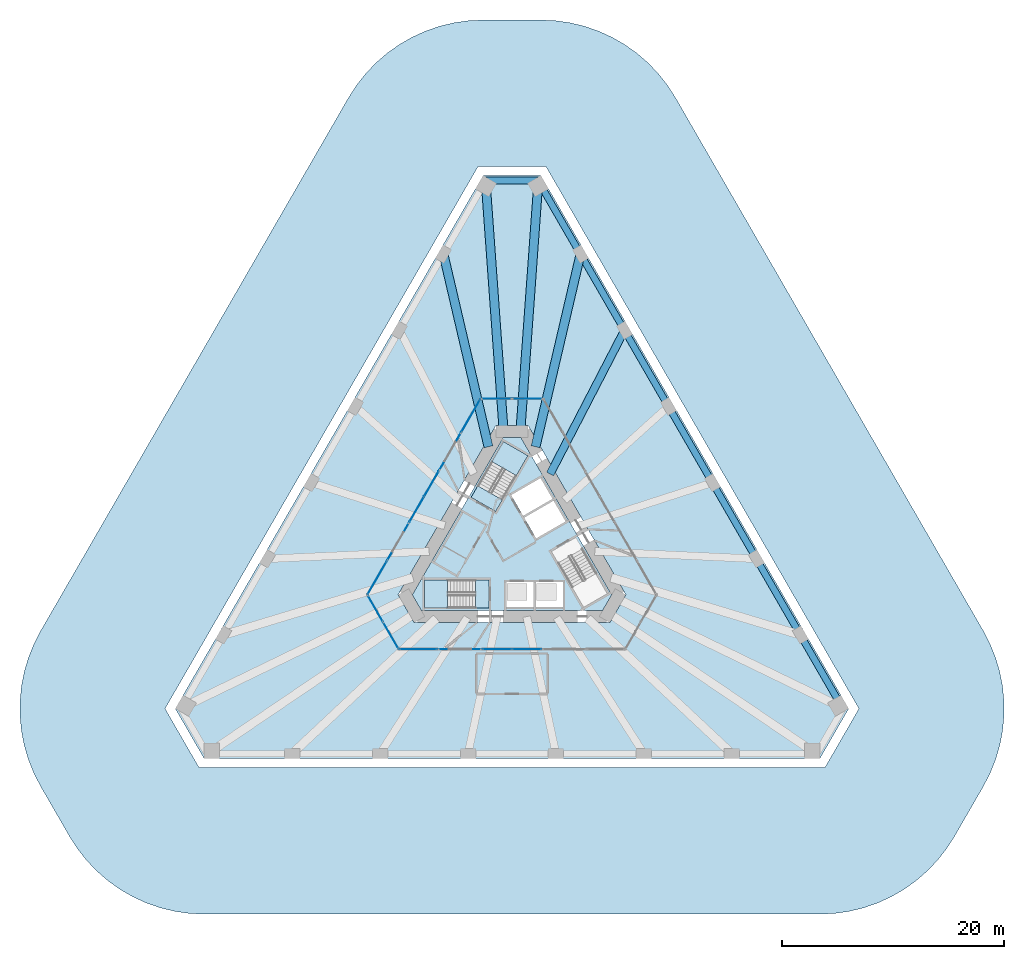
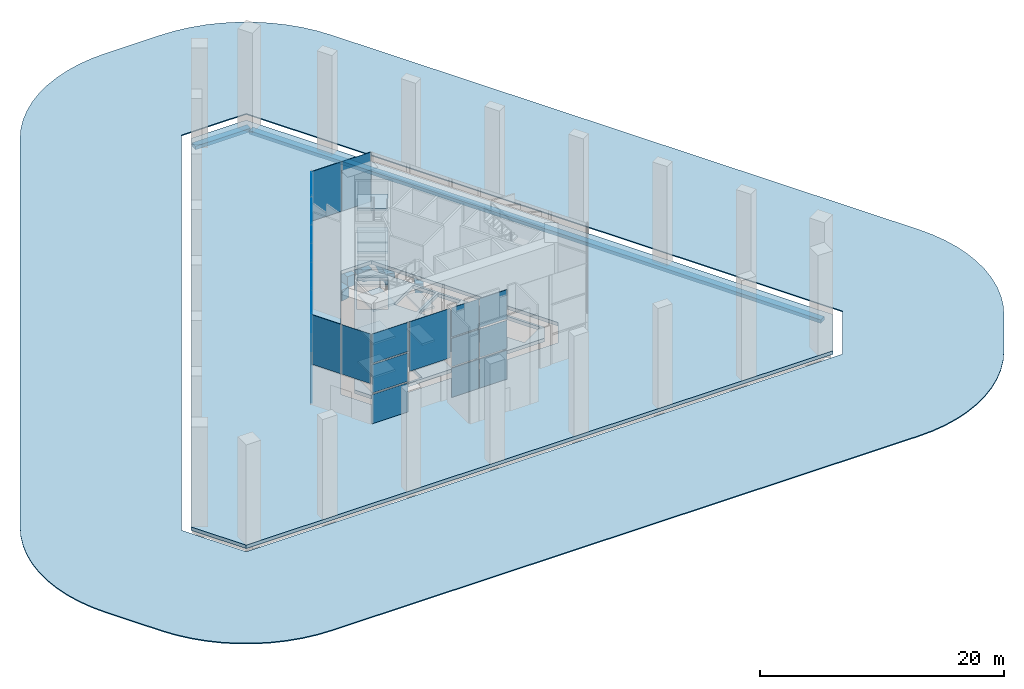
# One storey, part 6 of 13: 28 plates, 13 slabs, 7 beams, 12 elements without a shape of their own.
"""IFC4 building model written with IfcOpenShell, lengths in metres."""

from ifc_helpers import new_model, si_unit, direction, frame, origin, origin_2d, place, context, subcontext, project, spatial, polyline, rectangle, outline, extrude, material, layer, layer_set, material_profile, profile_set, type_object, element, aggregate, save


model = new_model("IFC4")

# Units and contexts
model_context = context("Model", 3, precision=1e-05, world=origin(), true_north=direction((0.0, 1.0)))
body_context = subcontext(model_context, "Body", "Model", "MODEL_VIEW")
ifc_project = project(units=[si_unit("LENGTHUNIT", "METRE"), si_unit("AREAUNIT", "SQUARE_METRE"), si_unit("VOLUMEUNIT", "CUBIC_METRE"), si_unit("PLANEANGLEUNIT", "RADIAN"), si_unit("MASSUNIT", "GRAM", prefix="KILO")], contexts=[model_context])

# Site, building, storey
site_placement = place(None, origin())
site = spatial("IfcSite", under=ifc_project, at=site_placement, CompositionType="ELEMENT")
building_placement = place(site_placement, origin())
building = spatial("IfcBuilding", under=site, at=building_placement, Name="Tramontana Tower", CompositionType="ELEMENT")
storey_placement = place(building_placement, origin())
storey = spatial("IfcBuildingStorey", under=building, at=storey_placement, Name="L00", CompositionType="ELEMENT", Elevation=0.0)

# Beams
ifc_material_1 = material(Name="Concrete 40 MPa", Category="concrete")
ifc_material_profile_1 = material_profile(ifc_material_1, rectangle(XDim=0.60009765625, YDim=0.35009765625, at=origin_2d()), Name="RC EDGE BEAM 600X350 40 MPa")
ifc_profile_set_1 = profile_set([ifc_material_profile_1], Name="Concrete 40 MPa")
beam_type_1 = type_object("IfcBeamType", Name="RC EDGE BEAM 600X350 40 MPa", PredefinedType="SPANDREL", material=ifc_profile_set_1)
beam_1_placement = place(storey_placement, frame((29.5712890625, -14.118896484375, -0.52490234375), z_axis=(-0.500001490283, 0.866024543367, 0.0), x_axis=(-0.866024543367, -0.500001490283, 0.0)))
element("IfcBeam", 1, at=beam_1_placement, inside=storey, type_object=beam_type_1, Name="Spandrel beam S2 L00", PredefinedType="SPANDREL", context=body_context, shape_type="SweptSolid", body=[
    extrude(rectangle(XDim=0.60009765625, YDim=0.35009765625, at=origin_2d()), origin(), (0.0, 0.0, 1.0), 54.025634765625),
])
beam_2_placement = place(storey_placement, frame((2.59814453125, 33.050048828125, -0.52490234375), z_axis=(-1.0, 0.0, 0.0), x_axis=(0.0, -1.0, 0.0)))
element("IfcBeam", 2, at=beam_2_placement, inside=storey, type_object=beam_type_1, Name="Spandrel beam K0 L00", PredefinedType="SPANDREL", context=body_context, shape_type="SweptSolid", body=[
    extrude(rectangle(XDim=0.60009765625, YDim=0.35009765625, at=origin_2d()), origin(), (0.0, 0.0, 1.0), 5.1962890625),
])
ifc_material_2 = material(Name="Concrete 40 MPa", Category="concrete")
ifc_material_profile_2 = material_profile(ifc_material_2, rectangle(XDim=0.699951171875, YDim=0.89990234375, at=origin_2d()), Name="RC GIRDER 700X900 40 MPa")
ifc_profile_set_2 = profile_set([ifc_material_profile_2], Name="Concrete 40 MPa")
beam_type_2 = type_object("IfcBeamType", Name="RC GIRDER 700X900 40 MPa", PredefinedType="BEAM", material=ifc_profile_set_2)
beam_3_placement = place(storey_placement, frame((10.126220703125, 19.560791015625, -0.800048828125), z_axis=(-0.459730770714, -0.88805834181, 0.0), x_axis=(0.88805834181, -0.459730770714, 0.0)))
element("IfcBeam", 3, at=beam_3_placement, inside=storey, type_object=beam_type_2, Name="Radial girder C0F17 L00", PredefinedType="BEAM", context=body_context, shape_type="SweptSolid", body=[
    extrude(rectangle(XDim=0.699951171875, YDim=0.89990234375, at=origin_2d()), origin(), (0.0, 0.0, 1.0), 14.5615234375),
])
ifc_material_3 = material(Name="Concrete 40 MPa", Category="concrete")
ifc_material_profile_3 = material_profile(ifc_material_3, rectangle(XDim=0.800048828125, YDim=1.10009765625, at=origin_2d()), Name="RC GIRDER 800X1100 40 MPa")
ifc_profile_set_3 = profile_set([ifc_material_profile_3], Name="Concrete 40 MPa")
beam_type_3 = type_object("IfcBeamType", Name="RC GIRDER 800X1100 40 MPa", PredefinedType="BEAM", material=ifc_profile_set_3)
beam_4_placement = place(storey_placement, frame((-2.341796875, 32.543701171875, -0.89990234375), z_axis=(0.071767165612, -0.997421412413, 0.0), x_axis=(0.997421412413, 0.071767165612, 0.0)))
element("IfcBeam", 4, at=beam_4_placement, inside=storey, type_object=beam_type_3, Name="Radial girder C0K1 L00", PredefinedType="BEAM", context=body_context, shape_type="SweptSolid", body=[
    extrude(rectangle(XDim=0.800048828125, YDim=1.10009765625, at=origin_2d()), origin(), (0.0, 0.0, 1.0), 22.1494140625),
])
for number, where, z_axis, x_axis, name in (
    (5, (-6.167236328125, 26.41796875, -0.89990234375), (0.227334068495, -0.973816831494, 0.0), (0.973816831494, 0.227334068495, 0.0), "Radial girder C0F01 L00"),
    (6, (6.167236328125, 26.41796875, -0.89990234375), (-0.227334068495, -0.973816831494, 0.0), (0.973816831494, -0.227334068495, 0.0), "Radial girder C0F18 L00"),
):
    element("IfcBeam", number, at=place(storey_placement, frame(where, z_axis=z_axis, x_axis=x_axis)), inside=storey, type_object=beam_type_3, Name=name, PredefinedType="BEAM", context=body_context, shape_type="SweptSolid", body=[
        extrude(rectangle(XDim=0.800048828125, YDim=1.10009765625, at=origin_2d()), origin(), (0.0, 0.0, 1.0), 17.806884765625),
    ])
beam_5_placement = place(storey_placement, frame((2.341796875, 32.543701171875, -0.89990234375), z_axis=(-0.071767165612, -0.997421412413, 0.0), x_axis=(0.997421412413, -0.071767165612, 0.0)))
element("IfcBeam", 7, at=beam_5_placement, inside=storey, type_object=beam_type_3, Name="Radial girder C0K6 L00", PredefinedType="BEAM", context=body_context, shape_type="SweptSolid", body=[
    extrude(rectangle(XDim=0.800048828125, YDim=1.10009765625, at=origin_2d()), origin(), (0.0, 0.0, 1.0), 22.1494140625),
])

# Curtain wall, plates
ifc_material_4 = material(Name="Aluminum extrusion", Category="aluminium")
ifc_layer_1 = layer(ifc_material_4, 0.14990234375)
ifc_layer_set_1 = layer_set([ifc_layer_1], Name="CW1 Entrance pavilion curtain wall")
curtain_wall_type = type_object("IfcCurtainWallType", Name="CW1 Entrance pavilion curtain wall", PredefinedType="NOTDEFINED", material=ifc_layer_set_1)
curtain_wall_1_placement = place(storey_placement, origin())
curtain_wall_1 = element("IfcCurtainWall", 8, at=curtain_wall_1_placement, inside=storey, type_object=curtain_wall_type, Name="CW1 curtain wall L00 edge 2 run 2", PredefinedType="NOTDEFINED")
ifc_material_5 = material(Name="Low-iron double glazing unit", Category="glass")
ifc_layer_2 = layer(ifc_material_5, 0.035888671875)
ifc_layer_set_2 = layer_set([ifc_layer_2], Name="CW1-P Glazing panel 36")
plate_type = type_object("IfcPlateType", Name="CW1-P Glazing panel 36", PredefinedType="CURTAIN_PANEL", material=ifc_layer_set_2)
plate_1_placement = place(storey_placement, frame((1.328857421875, -9.14990234375, 0.0), z_axis=(0.0, 0.0, 1.0), x_axis=(-1.0, 0.0, 0.0)))
plate_1 = element("IfcPlate", 9, at=plate_1_placement, type_object=plate_type, Name="CW1 curtain wall L00 edge 2 run 2 panel 1.1", PredefinedType="CURTAIN_PANEL", context=body_context, shape_type="SweptSolid", body=[
    extrude(rectangle(XDim=2.597412109375, YDim=0.035888671875, at=origin_2d()), origin(), (0.0, 0.0, 1.0), 2.907958984375),
])
plate_2_placement = place(storey_placement, frame((1.328857421875, -9.14990234375, 3.05810546875), z_axis=(0.0, 0.0, 1.0), x_axis=(-1.0, 0.0, 0.0)))
plate_2 = element("IfcPlate", 10, at=plate_2_placement, type_object=plate_type, Name="CW1 curtain wall L00 edge 2 run 2 panel 1.2", PredefinedType="CURTAIN_PANEL", context=body_context, shape_type="SweptSolid", body=[
    extrude(rectangle(XDim=2.597412109375, YDim=0.035888671875, at=origin_2d()), origin(), (0.0, 0.0, 1.0), 2.833984375),
])
plate_3_placement = place(storey_placement, frame((1.328857421875, -9.14990234375, 6.0419921875), z_axis=(0.0, 0.0, 1.0), x_axis=(-1.0, 0.0, 0.0)))
plate_3 = element("IfcPlate", 11, at=plate_3_placement, type_object=plate_type, Name="CW1 curtain wall L00 edge 2 run 2 panel 1.3", PredefinedType="CURTAIN_PANEL", context=body_context, shape_type="SweptSolid", body=[
    extrude(rectangle(XDim=2.597412109375, YDim=0.035888671875, at=origin_2d()), origin(), (0.0, 0.0, 1.0), 2.907958984375),
])
plate_4_placement = place(storey_placement, frame((-1.328857421875, -9.14990234375, 0.0), z_axis=(0.0, 0.0, 1.0), x_axis=(-1.0, 0.0, 0.0)))
plate_4 = element("IfcPlate", 12, at=plate_4_placement, type_object=plate_type, Name="CW1 curtain wall L00 edge 2 run 2 panel 2.1", PredefinedType="CURTAIN_PANEL", context=body_context, shape_type="SweptSolid", body=[
    extrude(rectangle(XDim=2.597412109375, YDim=0.035888671875, at=origin_2d()), origin(), (0.0, 0.0, 1.0), 2.907958984375),
])
plate_5_placement = place(storey_placement, frame((-1.328857421875, -9.14990234375, 3.05810546875), z_axis=(0.0, 0.0, 1.0), x_axis=(-1.0, 0.0, 0.0)))
plate_5 = element("IfcPlate", 13, at=plate_5_placement, type_object=plate_type, Name="CW1 curtain wall L00 edge 2 run 2 panel 2.2", PredefinedType="CURTAIN_PANEL", context=body_context, shape_type="SweptSolid", body=[
    extrude(rectangle(XDim=2.597412109375, YDim=0.035888671875, at=origin_2d()), origin(), (0.0, 0.0, 1.0), 2.833984375),
])
plate_6_placement = place(storey_placement, frame((-1.328857421875, -9.14990234375, 6.0419921875), z_axis=(0.0, 0.0, 1.0), x_axis=(-1.0, 0.0, 0.0)))
plate_6 = element("IfcPlate", 14, at=plate_6_placement, type_object=plate_type, Name="CW1 curtain wall L00 edge 2 run 2 panel 2.3", PredefinedType="CURTAIN_PANEL", context=body_context, shape_type="SweptSolid", body=[
    extrude(rectangle(XDim=2.597412109375, YDim=0.035888671875, at=origin_2d()), origin(), (0.0, 0.0, 1.0), 2.907958984375),
])
aggregate(curtain_wall_1, [plate_1, plate_2, plate_3, plate_4, plate_5, plate_6])

curtain_wall_2_placement = place(storey_placement, origin())
curtain_wall_2 = element("IfcCurtainWall", 15, at=curtain_wall_2_placement, inside=storey, type_object=curtain_wall_type, Name="CW1 curtain wall L00 edge 2 run 3", PredefinedType="NOTDEFINED")
plate_7_placement = place(storey_placement, frame((-8.43896484375, -9.14990234375, 0.0), z_axis=(0.0, 0.0, 1.0), x_axis=(-1.0, 0.0, 0.0)))
plate_7 = element("IfcPlate", 16, at=plate_7_placement, type_object=plate_type, Name="CW1 curtain wall L00 edge 2 run 3 panel 1.1", PredefinedType="CURTAIN_PANEL", context=body_context, shape_type="SweptSolid", body=[
    extrude(rectangle(XDim=3.3828125, YDim=0.035888671875, at=origin_2d()), origin(), (0.0, 0.0, 1.0), 2.907958984375),
])
plate_8_placement = place(storey_placement, frame((-8.43896484375, -9.14990234375, 3.05810546875), z_axis=(0.0, 0.0, 1.0), x_axis=(-1.0, 0.0, 0.0)))
plate_8 = element("IfcPlate", 17, at=plate_8_placement, type_object=plate_type, Name="CW1 curtain wall L00 edge 2 run 3 panel 1.2", PredefinedType="CURTAIN_PANEL", context=body_context, shape_type="SweptSolid", body=[
    extrude(rectangle(XDim=3.3828125, YDim=0.035888671875, at=origin_2d()), origin(), (0.0, 0.0, 1.0), 2.833984375),
])
plate_9_placement = place(storey_placement, frame((-8.43896484375, -9.14990234375, 6.0419921875), z_axis=(0.0, 0.0, 1.0), x_axis=(-1.0, 0.0, 0.0)))
plate_9 = element("IfcPlate", 18, at=plate_9_placement, type_object=plate_type, Name="CW1 curtain wall L00 edge 2 run 3 panel 1.3", PredefinedType="CURTAIN_PANEL", context=body_context, shape_type="SweptSolid", body=[
    extrude(rectangle(XDim=3.3828125, YDim=0.035888671875, at=origin_2d()), origin(), (0.0, 0.0, 1.0), 2.907958984375),
])
aggregate(curtain_wall_2, [plate_7, plate_8, plate_9])

# Curtain wall, plate
curtain_wall_3_placement = place(storey_placement, origin())
curtain_wall_3 = element("IfcCurtainWall", 19, at=curtain_wall_3_placement, inside=storey, type_object=curtain_wall_type, Name="CW1 curtain wall L00 edge 2 over entrance 2", PredefinedType="NOTDEFINED")
plate_10_placement = place(storey_placement, frame((-4.6875, -9.14990234375, 4.0), z_axis=(0.0, 0.0, 1.0), x_axis=(-1.0, 0.0, 0.0)))
plate_10 = element("IfcPlate", 20, at=plate_10_placement, type_object=plate_type, Name="CW1 curtain wall L00 edge 2 over entrance 2 panel 1.1", PredefinedType="CURTAIN_PANEL", context=body_context, shape_type="SweptSolid", body=[
    extrude(rectangle(XDim=3.8798828125, YDim=0.035888671875, at=origin_2d()), origin(), (0.0, 0.0, 1.0), 4.949951171875),
])
aggregate(curtain_wall_3, [plate_10])

# Curtain wall, plates
curtain_wall_4_placement = place(storey_placement, origin())
curtain_wall_4 = element("IfcCurtainWall", 21, at=curtain_wall_4_placement, inside=storey, type_object=curtain_wall_type, Name="CW1 curtain wall L00 stair exit 2 over door", PredefinedType="NOTDEFINED")
plate_11_placement = place(storey_placement, frame((-10.905029296875, -7.912109375, 4.0), z_axis=(0.0, 0.0, 1.0), x_axis=(-0.5, 0.866025403784, 0.0)))
plate_11 = element("IfcPlate", 22, at=plate_11_placement, type_object=plate_type, Name="CW1 curtain wall L00 stair exit 2 over door panel 1.1", PredefinedType="CURTAIN_PANEL", context=body_context, shape_type="SweptSolid", body=[
    extrude(rectangle(XDim=2.739013671875, YDim=0.035888671875, at=origin_2d()), origin(), (0.0, 0.0, 1.0), 4.949951171875),
])
plate_12_placement = place(storey_placement, frame((-12.304443359375, -5.488037109375, 4.0), z_axis=(0.0, 0.0, 1.0), x_axis=(-0.5, 0.866025403784, 0.0)))
plate_12 = element("IfcPlate", 23, at=plate_12_placement, type_object=plate_type, Name="CW1 curtain wall L00 stair exit 2 over door panel 2.1", PredefinedType="CURTAIN_PANEL", context=body_context, shape_type="SweptSolid", body=[
    extrude(rectangle(XDim=2.739013671875, YDim=0.035888671875, at=origin_2d()), origin(), (0.0, 0.0, 1.0), 4.949951171875),
])
aggregate(curtain_wall_4, [plate_11, plate_12])

curtain_wall_5_placement = place(storey_placement, origin())
curtain_wall_5 = element("IfcCurtainWall", 24, at=curtain_wall_5_placement, inside=storey, type_object=curtain_wall_type, Name="CW1 curtain wall L00 edge 3 run 1", PredefinedType="NOTDEFINED")
plate_13_placement = place(storey_placement, frame((-12.1435546875, -2.733154296875, 0.0), z_axis=(0.0, 0.0, 1.0), x_axis=(0.5, 0.866025403784, 0.0)))
plate_13 = element("IfcPlate", 25, at=plate_13_placement, type_object=plate_type, Name="CW1 curtain wall L00 edge 3 run 1 panel 1.1", PredefinedType="CURTAIN_PANEL", context=body_context, shape_type="SweptSolid", body=[
    extrude(rectangle(XDim=3.3828125, YDim=0.035888671875, at=origin_2d()), origin(), (0.0, 0.0, 1.0), 2.907958984375),
])
plate_14_placement = place(storey_placement, frame((-12.1435546875, -2.733154296875, 3.05810546875), z_axis=(0.0, 0.0, 1.0), x_axis=(0.5, 0.866025403784, 0.0)))
plate_14 = element("IfcPlate", 26, at=plate_14_placement, type_object=plate_type, Name="CW1 curtain wall L00 edge 3 run 1 panel 1.2", PredefinedType="CURTAIN_PANEL", context=body_context, shape_type="SweptSolid", body=[
    extrude(rectangle(XDim=3.3828125, YDim=0.035888671875, at=origin_2d()), origin(), (0.0, 0.0, 1.0), 2.833984375),
])
plate_15_placement = place(storey_placement, frame((-12.1435546875, -2.733154296875, 6.0419921875), z_axis=(0.0, 0.0, 1.0), x_axis=(0.5, 0.866025403784, 0.0)))
plate_15 = element("IfcPlate", 27, at=plate_15_placement, type_object=plate_type, Name="CW1 curtain wall L00 edge 3 run 1 panel 1.3", PredefinedType="CURTAIN_PANEL", context=body_context, shape_type="SweptSolid", body=[
    extrude(rectangle(XDim=3.3828125, YDim=0.035888671875, at=origin_2d()), origin(), (0.0, 0.0, 1.0), 2.907958984375),
])
aggregate(curtain_wall_5, [plate_13, plate_14, plate_15])

curtain_wall_6_placement = place(storey_placement, origin())
curtain_wall_6 = element("IfcCurtainWall", 28, at=curtain_wall_6_placement, inside=storey, type_object=curtain_wall_type, Name="CW1 curtain wall L00 edge 3 run 2", PredefinedType="NOTDEFINED")
plate_16_placement = place(storey_placement, frame((-8.588623046875, 3.42431640625, 0.0), z_axis=(0.0, 0.0, 1.0), x_axis=(0.5, 0.866025403784, 0.0)))
plate_16 = element("IfcPlate", 29, at=plate_16_placement, type_object=plate_type, Name="CW1 curtain wall L00 edge 3 run 2 panel 1.1", PredefinedType="CURTAIN_PANEL", context=body_context, shape_type="SweptSolid", body=[
    extrude(rectangle(XDim=2.597412109375, YDim=0.035888671875, at=origin_2d()), origin(), (0.0, 0.0, 1.0), 2.907958984375),
])
plate_17_placement = place(storey_placement, frame((-8.588623046875, 3.42431640625, 3.05810546875), z_axis=(0.0, 0.0, 1.0), x_axis=(0.5, 0.866025403784, 0.0)))
plate_17 = element("IfcPlate", 30, at=plate_17_placement, type_object=plate_type, Name="CW1 curtain wall L00 edge 3 run 2 panel 1.2", PredefinedType="CURTAIN_PANEL", context=body_context, shape_type="SweptSolid", body=[
    extrude(rectangle(XDim=2.597412109375, YDim=0.035888671875, at=origin_2d()), origin(), (0.0, 0.0, 1.0), 2.833984375),
])
plate_18_placement = place(storey_placement, frame((-8.588623046875, 3.42431640625, 6.0419921875), z_axis=(0.0, 0.0, 1.0), x_axis=(0.5, 0.866025403784, 0.0)))
plate_18 = element("IfcPlate", 31, at=plate_18_placement, type_object=plate_type, Name="CW1 curtain wall L00 edge 3 run 2 panel 1.3", PredefinedType="CURTAIN_PANEL", context=body_context, shape_type="SweptSolid", body=[
    extrude(rectangle(XDim=2.597412109375, YDim=0.035888671875, at=origin_2d()), origin(), (0.0, 0.0, 1.0), 2.907958984375),
])
plate_19_placement = place(storey_placement, frame((-7.259765625, 5.725830078125, 0.0), z_axis=(0.0, 0.0, 1.0), x_axis=(0.5, 0.866025403784, 0.0)))
plate_19 = element("IfcPlate", 32, at=plate_19_placement, type_object=plate_type, Name="CW1 curtain wall L00 edge 3 run 2 panel 2.1", PredefinedType="CURTAIN_PANEL", context=body_context, shape_type="SweptSolid", body=[
    extrude(rectangle(XDim=2.597412109375, YDim=0.035888671875, at=origin_2d()), origin(), (0.0, 0.0, 1.0), 2.907958984375),
])
plate_20_placement = place(storey_placement, frame((-7.259765625, 5.725830078125, 3.05810546875), z_axis=(0.0, 0.0, 1.0), x_axis=(0.5, 0.866025403784, 0.0)))
plate_20 = element("IfcPlate", 33, at=plate_20_placement, type_object=plate_type, Name="CW1 curtain wall L00 edge 3 run 2 panel 2.2", PredefinedType="CURTAIN_PANEL", context=body_context, shape_type="SweptSolid", body=[
    extrude(rectangle(XDim=2.597412109375, YDim=0.035888671875, at=origin_2d()), origin(), (0.0, 0.0, 1.0), 2.833984375),
])
plate_21_placement = place(storey_placement, frame((-7.259765625, 5.725830078125, 6.0419921875), z_axis=(0.0, 0.0, 1.0), x_axis=(0.5, 0.866025403784, 0.0)))
plate_21 = element("IfcPlate", 34, at=plate_21_placement, type_object=plate_type, Name="CW1 curtain wall L00 edge 3 run 2 panel 2.3", PredefinedType="CURTAIN_PANEL", context=body_context, shape_type="SweptSolid", body=[
    extrude(rectangle(XDim=2.597412109375, YDim=0.035888671875, at=origin_2d()), origin(), (0.0, 0.0, 1.0), 2.907958984375),
])
aggregate(curtain_wall_6, [plate_16, plate_17, plate_18, plate_19, plate_20, plate_21])

curtain_wall_7_placement = place(storey_placement, origin())
curtain_wall_7 = element("IfcCurtainWall", 35, at=curtain_wall_7_placement, inside=storey, type_object=curtain_wall_type, Name="CW1 curtain wall L00 edge 3 run 3", PredefinedType="NOTDEFINED")
plate_22_placement = place(storey_placement, frame((-3.70458984375, 11.88330078125, 0.0), z_axis=(0.0, 0.0, 1.0), x_axis=(0.5, 0.866025403784, 0.0)))
plate_22 = element("IfcPlate", 36, at=plate_22_placement, type_object=plate_type, Name="CW1 curtain wall L00 edge 3 run 3 panel 1.1", PredefinedType="CURTAIN_PANEL", context=body_context, shape_type="SweptSolid", body=[
    extrude(rectangle(XDim=3.3828125, YDim=0.035888671875, at=origin_2d()), origin(), (0.0, 0.0, 1.0), 2.907958984375),
])
plate_23_placement = place(storey_placement, frame((-3.70458984375, 11.88330078125, 3.05810546875), z_axis=(0.0, 0.0, 1.0), x_axis=(0.5, 0.866025403784, 0.0)))
plate_23 = element("IfcPlate", 37, at=plate_23_placement, type_object=plate_type, Name="CW1 curtain wall L00 edge 3 run 3 panel 1.2", PredefinedType="CURTAIN_PANEL", context=body_context, shape_type="SweptSolid", body=[
    extrude(rectangle(XDim=3.3828125, YDim=0.035888671875, at=origin_2d()), origin(), (0.0, 0.0, 1.0), 2.833984375),
])
plate_24_placement = place(storey_placement, frame((-3.70458984375, 11.88330078125, 6.0419921875), z_axis=(0.0, 0.0, 1.0), x_axis=(0.5, 0.866025403784, 0.0)))
plate_24 = element("IfcPlate", 38, at=plate_24_placement, type_object=plate_type, Name="CW1 curtain wall L00 edge 3 run 3 panel 1.3", PredefinedType="CURTAIN_PANEL", context=body_context, shape_type="SweptSolid", body=[
    extrude(rectangle(XDim=3.3828125, YDim=0.035888671875, at=origin_2d()), origin(), (0.0, 0.0, 1.0), 2.907958984375),
])
aggregate(curtain_wall_7, [plate_22, plate_23, plate_24])

# Curtain wall, plate
curtain_wall_8_placement = place(storey_placement, origin())
curtain_wall_8 = element("IfcCurtainWall", 39, at=curtain_wall_8_placement, inside=storey, type_object=curtain_wall_type, Name="CW1 curtain wall L00 edge 3 over entrance 1", PredefinedType="NOTDEFINED")
plate_25_placement = place(storey_placement, frame((-10.267822265625, 0.515380859375, 4.0), z_axis=(0.0, 0.0, 1.0), x_axis=(0.5, 0.866025403784, 0.0)))
plate_25 = element("IfcPlate", 40, at=plate_25_placement, type_object=plate_type, Name="CW1 curtain wall L00 edge 3 over entrance 1 panel 1.1", PredefinedType="CURTAIN_PANEL", context=body_context, shape_type="SweptSolid", body=[
    extrude(rectangle(XDim=3.8798828125, YDim=0.035888671875, at=origin_2d()), origin(), (0.0, 0.0, 1.0), 4.949951171875),
])
aggregate(curtain_wall_8, [plate_25])

curtain_wall_9_placement = place(storey_placement, origin())
curtain_wall_9 = element("IfcCurtainWall", 41, at=curtain_wall_9_placement, inside=storey, type_object=curtain_wall_type, Name="CW1 curtain wall L00 edge 3 over entrance 2", PredefinedType="NOTDEFINED")
plate_26_placement = place(storey_placement, frame((-5.580322265625, 8.634521484375, 4.0), z_axis=(0.0, 0.0, 1.0), x_axis=(0.5, 0.866025403784, 0.0)))
plate_26 = element("IfcPlate", 42, at=plate_26_placement, type_object=plate_type, Name="CW1 curtain wall L00 edge 3 over entrance 2 panel 1.1", PredefinedType="CURTAIN_PANEL", context=body_context, shape_type="SweptSolid", body=[
    extrude(rectangle(XDim=3.8798828125, YDim=0.035888671875, at=origin_2d()), origin(), (0.0, 0.0, 1.0), 4.949951171875),
])
aggregate(curtain_wall_9, [plate_26])

# Curtain wall, plates
curtain_wall_10_placement = place(storey_placement, origin())
curtain_wall_10 = element("IfcCurtainWall", 43, at=curtain_wall_10_placement, inside=storey, type_object=curtain_wall_type, Name="CW1 curtain wall L00 stair exit 3 over door", PredefinedType="NOTDEFINED")
plate_27_placement = place(storey_placement, frame((-1.3994140625, 13.39990234375, 4.0), z_axis=(0.0, 0.0, 1.0), x_axis=(1.0, 0.0, 0.0)))
plate_27 = element("IfcPlate", 44, at=plate_27_placement, type_object=plate_type, Name="CW1 curtain wall L00 stair exit 3 over door panel 1.1", PredefinedType="CURTAIN_PANEL", context=body_context, shape_type="SweptSolid", body=[
    extrude(rectangle(XDim=2.739013671875, YDim=0.035888671875, at=origin_2d()), origin(), (0.0, 0.0, 1.0), 4.949951171875),
])
plate_28_placement = place(storey_placement, frame((1.3994140625, 13.39990234375, 4.0), z_axis=(0.0, 0.0, 1.0), x_axis=(1.0, 0.0, 0.0)))
plate_28 = element("IfcPlate", 45, at=plate_28_placement, type_object=plate_type, Name="CW1 curtain wall L00 stair exit 3 over door panel 2.1", PredefinedType="CURTAIN_PANEL", context=body_context, shape_type="SweptSolid", body=[
    extrude(rectangle(XDim=2.739013671875, YDim=0.035888671875, at=origin_2d()), origin(), (0.0, 0.0, 1.0), 4.949951171875),
])
aggregate(curtain_wall_10, [plate_27, plate_28])

# Slabs
ifc_material_6 = material(Name="Concrete 40 MPa", Category="concrete")
ifc_layer_3 = layer(ifc_material_6, 0.35009765625)
ifc_layer_set_3 = layer_set([ifc_layer_3], Name="PT FLAT SLAB 350 40 MPa")
slab_type_1 = type_object("IfcSlabType", Name="PT FLAT SLAB 350 40 MPa", PredefinedType="FLOOR", material=ifc_layer_set_3)
slab_1_placement = place(storey_placement, frame((0.0, 0.0, -0.35009765625)))
element("IfcSlab", 46, at=slab_1_placement, inside=storey, type_object=slab_type_1, Name="Floor slab L00", PredefinedType="FLOOR", context=body_context, shape_type="SweptSolid", body=[
    extrude(outline(polyline([(27.712890625, -19.0), (-27.712890625, -19.0), (-30.310791015625, -14.5), (-2.59814453125, 33.5), (2.59814453125, 33.5), (30.310791015625, -14.5), (27.712890625, -19.0)]), holes=[polyline([(-10.248046875, -4.25), (-8.8046875, -6.75), (8.8046875, -6.75), (10.248046875, -4.25), (1.443359375, 11.0), (-1.443359375, 11.0), (-10.248046875, -4.25)])]), origin(), (0.0, 0.0, 1.0), 0.35009765625),
])
slab_2_placement = place(storey_placement, frame((0.0, 0.0, -0.35009765625)))
element("IfcSlab", 47, at=slab_2_placement, inside=storey, type_object=slab_type_1, Name="Core floor slab L00", PredefinedType="FLOOR", context=body_context, shape_type="SweptSolid", body=[
    extrude(outline(polyline([(8.977783203125, -4.25), (8.16943359375, -5.64990234375), (-8.16943359375, -5.64990234375), (-8.977783203125, -4.25), (-0.808349609375, 9.89990234375), (0.808349609375, 9.89990234375), (8.977783203125, -4.25)]), holes=[polyline([(8.659912109375, -4.099365234375), (6.35986328125, -0.115478515625), (4.151611328125, -1.390625), (6.451416015625, -5.374267578125), (8.659912109375, -4.099365234375)]), polyline([(3.829833984375, 4.2666015625), (1.101806640625, 2.69140625), (2.177001953125, 0.82958984375), (4.90478515625, 2.404541015625), (3.829833984375, 4.2666015625)]), polyline([(4.590087890625, -3.10009765625), (2.139892578125, -3.10009765625), (2.139892578125, -5.449951171875), (4.590087890625, -5.449951171875), (4.590087890625, -3.10009765625)]), polyline([(2.65478515625, 6.3017578125), (-0.072998046875, 4.726806640625), (1.001953125, 2.86474609375), (3.729736328125, 4.439697265625), (2.65478515625, 6.3017578125)]), polyline([(1.93994140625, -5.449951171875), (1.93994140625, -3.10009765625), (-0.510009765625, -3.10009765625), (-0.510009765625, -5.449951171875), (1.93994140625, -5.449951171875)]), polyline([(-0.77978515625, 9.54931640625), (-3.079833984375, 5.565673828125), (-0.87158203125, 4.29052734375), (1.428466796875, 8.2744140625), (-0.77978515625, 9.54931640625)]), polyline([(-7.8798828125, -5.449951171875), (-3.280029296875, -5.449951171875), (-3.280029296875, -2.89990234375), (-7.8798828125, -2.89990234375), (-7.8798828125, -5.449951171875)])]), origin(), (0.0, 0.0, 1.0), 0.35009765625),
])
ifc_material_7 = material(Name="Precast concrete 40 MPa", Category="concrete")
ifc_layer_4 = layer(ifc_material_7, 0.10009765625)
ifc_layer_set_4 = layer_set([ifc_layer_4], Name="PZ1 Plaza paving 100")
slab_type_2 = type_object("IfcSlabType", Name="PZ1 Plaza paving 100", PredefinedType="FLOOR", material=ifc_layer_set_4)
slab_3_placement = place(storey_placement, frame((0.0, 0.0, -0.10009765625)))
element("IfcSlab", 48, at=slab_3_placement, inside=storey, type_object=slab_type_2, Name="Plaza paving", PredefinedType="FLOOR", context=body_context, shape_type="SweptSolid", body=[
    extrude(outline(polyline([(43.045654296875, -8.68408203125), (43.541015625, -9.921142578125), (43.916259765625, -11.199462890625), (44.16845703125, -12.507568359375), (44.294921875, -13.833740234375), (44.294921875, -15.166259765625), (44.16845703125, -16.492431640625), (43.916259765625, -17.800537109375), (43.541015625, -19.078857421875), (43.045654296875, -20.31591796875), (42.435302734375, -21.5), (39.837158203125, -26.0), (39.116943359375, -27.120849609375), (38.293212890625, -28.16796875), (37.3740234375, -29.13232421875), (36.366943359375, -30.004638671875), (35.28173828125, -30.777587890625), (34.1279296875, -31.443603515625), (32.916015625, -31.9970703125), (31.656982421875, -32.432861328125), (30.3623046875, -32.7470703125), (29.043701171875, -32.9365234375), (27.712890625, -33.0), (-27.712890625, -33.0), (-29.043701171875, -32.9365234375), (-30.3623046875, -32.7470703125), (-31.656982421875, -32.432861328125), (-32.916015625, -31.9970703125), (-34.1279296875, -31.443603515625), (-35.28173828125, -30.777587890625), (-36.366943359375, -30.004638671875), (-37.3740234375, -29.13232421875), (-38.293212890625, -28.16796875), (-39.116943359375, -27.120849609375), (-39.837158203125, -26.0), (-42.435302734375, -21.5), (-43.045654296875, -20.31591796875), (-43.541015625, -19.078857421875), (-43.916259765625, -17.800537109375), (-44.16845703125, -16.492431640625), (-44.294921875, -15.166259765625), (-44.294921875, -13.833740234375), (-44.16845703125, -12.507568359375), (-43.916259765625, -11.199462890625), (-43.541015625, -9.921142578125), (-43.045654296875, -8.68408203125), (-42.435302734375, -7.5), (-14.722412109375, 40.5), (-14.002197265625, 41.620849609375), (-13.178466796875, 42.66796875), (-12.25927734375, 43.63232421875), (-11.252197265625, 44.504638671875), (-10.1669921875, 45.277587890625), (-9.01318359375, 45.943603515625), (-7.80126953125, 46.4970703125), (-6.542236328125, 46.932861328125), (-5.24755859375, 47.2470703125), (-3.928955078125, 47.4365234375), (-2.59814453125, 47.5), (2.59814453125, 47.5), (3.928955078125, 47.4365234375), (5.24755859375, 47.2470703125), (6.542236328125, 46.932861328125), (7.80126953125, 46.4970703125), (9.01318359375, 45.943603515625), (10.1669921875, 45.277587890625), (11.252197265625, 44.504638671875), (12.25927734375, 43.63232421875), (13.178466796875, 42.66796875), (14.002197265625, 41.620849609375), (14.722412109375, 40.5), (42.435302734375, -7.5), (43.045654296875, -8.68408203125)]), holes=[polyline([(-3.06005859375, 34.300048828125), (-31.234619140625, -14.5), (-28.1748046875, -19.800048828125), (28.1748046875, -19.800048828125), (31.234619140625, -14.5), (3.06005859375, 34.300048828125), (-3.06005859375, 34.300048828125)])]), origin(), (0.0, 0.0, 1.0), 0.10009765625),
])

# Stair, slabs
ifc_material_8 = material(Name="Concrete 40 MPa", Category="concrete")
stair_type = type_object("IfcStairType", Name="EXIT STAIR 60 RISERS", PredefinedType="HALF_TURN_STAIR", material=ifc_material_8)
stair_1_placement = place(storey_placement, origin())
stair_1 = element("IfcStair", 49, at=stair_1_placement, inside=storey, type_object=stair_type, Name="L00 Exit stair ST1", PredefinedType="HALF_TURN_STAIR")
ifc_material_9 = material(Name="Concrete 40 MPa", Category="concrete")
ifc_layer_5 = layer(ifc_material_9, 0.199951171875)
ifc_layer_set_5 = layer_set([ifc_layer_5], Name="STAIR LANDING 200")
slab_type_3 = type_object("IfcSlabType", Name="STAIR LANDING 200", PredefinedType="LANDING", material=ifc_layer_set_5)
slab_4_placement = place(storey_placement, frame((0.0, 0.0, 1.466552734375)))
slab_4 = element("IfcSlab", 50, at=slab_4_placement, type_object=slab_type_3, Name="ST1 landing 1", PredefinedType="LANDING", context=body_context, shape_type="SweptSolid", body=[
    extrude(outline(polyline([(0.388427734375, 6.472900390625), (1.428466796875, 8.274169921875), (-0.77978515625, 9.54931640625), (-1.81982421875, 7.748046875), (0.388427734375, 6.472900390625)])), origin(), (0.0, 0.0, 1.0), 0.2001953125),
])
slab_5_placement = place(storey_placement, frame((0.0, 0.0, 3.13330078125)))
slab_5 = element("IfcSlab", 51, at=slab_5_placement, type_object=slab_type_3, Name="ST1 landing 2", PredefinedType="LANDING", context=body_context, shape_type="SweptSolid", body=[
    extrude(outline(polyline([(-1.471435546875, 3.251220703125), (-0.87158203125, 4.29052734375), (-3.079833984375, 5.565673828125), (-3.679931640625, 4.5263671875), (-1.471435546875, 3.251220703125)])), origin(), (0.0, 0.0, 1.0), 0.199951171875),
])
slab_6_placement = place(storey_placement, frame((0.0, 0.0, 4.800048828125)))
slab_6 = element("IfcSlab", 52, at=slab_6_placement, type_object=slab_type_3, Name="ST1 landing 3", PredefinedType="LANDING", context=body_context, shape_type="SweptSolid", body=[
    extrude(outline(polyline([(0.388427734375, 6.472900390625), (1.428466796875, 8.274169921875), (-0.77978515625, 9.54931640625), (-1.81982421875, 7.748046875), (0.388427734375, 6.472900390625)])), origin(), (0.0, 0.0, 1.0), 0.199951171875),
])
slab_7_placement = place(storey_placement, frame((0.0, 0.0, 6.466552734375)))
slab_7 = element("IfcSlab", 53, at=slab_7_placement, type_object=slab_type_3, Name="ST1 landing 4", PredefinedType="LANDING", context=body_context, shape_type="SweptSolid", body=[
    extrude(outline(polyline([(-1.471435546875, 3.251220703125), (-0.87158203125, 4.29052734375), (-3.079833984375, 5.565673828125), (-3.679931640625, 4.5263671875), (-1.471435546875, 3.251220703125)])), origin(), (0.0, 0.0, 1.0), 0.2001953125),
])
slab_8_placement = place(storey_placement, frame((0.0, 0.0, 8.13330078125)))
slab_8 = element("IfcSlab", 54, at=slab_8_placement, type_object=slab_type_3, Name="ST1 landing 5", PredefinedType="LANDING", context=body_context, shape_type="SweptSolid", body=[
    extrude(outline(polyline([(0.388427734375, 6.472900390625), (1.428466796875, 8.274169921875), (-0.77978515625, 9.54931640625), (-1.81982421875, 7.748046875), (0.388427734375, 6.472900390625)])), origin(), (0.0, 0.0, 1.0), 0.199951171875),
])
aggregate(stair_1, [slab_4, slab_5, slab_6, slab_7, slab_8])

stair_2_placement = place(storey_placement, origin())
stair_2 = element("IfcStair", 55, at=stair_2_placement, inside=storey, type_object=stair_type, Name="L00 Exit stair ST2", PredefinedType="HALF_TURN_STAIR")
slab_9_placement = place(storey_placement, frame((0.0, 0.0, 1.466552734375)))
slab_9 = element("IfcSlab", 56, at=slab_9_placement, type_object=slab_type_3, Name="ST2 landing 1", PredefinedType="LANDING", context=body_context, shape_type="SweptSolid", body=[
    extrude(outline(polyline([(-5.800048828125, -2.89990234375), (-7.8798828125, -2.89990234375), (-7.8798828125, -5.449951171875), (-5.800048828125, -5.449951171875), (-5.800048828125, -2.89990234375)])), origin(), (0.0, 0.0, 1.0), 0.2001953125),
])
slab_10_placement = place(storey_placement, frame((0.0, 0.0, 3.13330078125)))
slab_10 = element("IfcSlab", 57, at=slab_10_placement, type_object=slab_type_3, Name="ST2 landing 2", PredefinedType="LANDING", context=body_context, shape_type="SweptSolid", body=[
    extrude(outline(polyline([(-2.080078125, -2.89990234375), (-3.280029296875, -2.89990234375), (-3.280029296875, -5.449951171875), (-2.080078125, -5.449951171875), (-2.080078125, -2.89990234375)])), origin(), (0.0, 0.0, 1.0), 0.199951171875),
])
slab_11_placement = place(storey_placement, frame((0.0, 0.0, 4.800048828125)))
slab_11 = element("IfcSlab", 58, at=slab_11_placement, type_object=slab_type_3, Name="ST2 landing 3", PredefinedType="LANDING", context=body_context, shape_type="SweptSolid", body=[
    extrude(outline(polyline([(-5.800048828125, -2.89990234375), (-7.8798828125, -2.89990234375), (-7.8798828125, -5.449951171875), (-5.800048828125, -5.449951171875), (-5.800048828125, -2.89990234375)])), origin(), (0.0, 0.0, 1.0), 0.199951171875),
])
slab_12_placement = place(storey_placement, frame((0.0, 0.0, 6.466552734375)))
slab_12 = element("IfcSlab", 59, at=slab_12_placement, type_object=slab_type_3, Name="ST2 landing 4", PredefinedType="LANDING", context=body_context, shape_type="SweptSolid", body=[
    extrude(outline(polyline([(-2.080078125, -2.89990234375), (-3.280029296875, -2.89990234375), (-3.280029296875, -5.449951171875), (-2.080078125, -5.449951171875), (-2.080078125, -2.89990234375)])), origin(), (0.0, 0.0, 1.0), 0.2001953125),
])
slab_13_placement = place(storey_placement, frame((0.0, 0.0, 8.13330078125)))
slab_13 = element("IfcSlab", 60, at=slab_13_placement, type_object=slab_type_3, Name="ST2 landing 5", PredefinedType="LANDING", context=body_context, shape_type="SweptSolid", body=[
    extrude(outline(polyline([(-5.800048828125, -2.89990234375), (-7.8798828125, -2.89990234375), (-7.8798828125, -5.449951171875), (-5.800048828125, -5.449951171875), (-5.800048828125, -2.89990234375)])), origin(), (0.0, 0.0, 1.0), 0.199951171875),
])
aggregate(stair_2, [slab_9, slab_10, slab_11, slab_12, slab_13])

save(model, "model.ifc")
